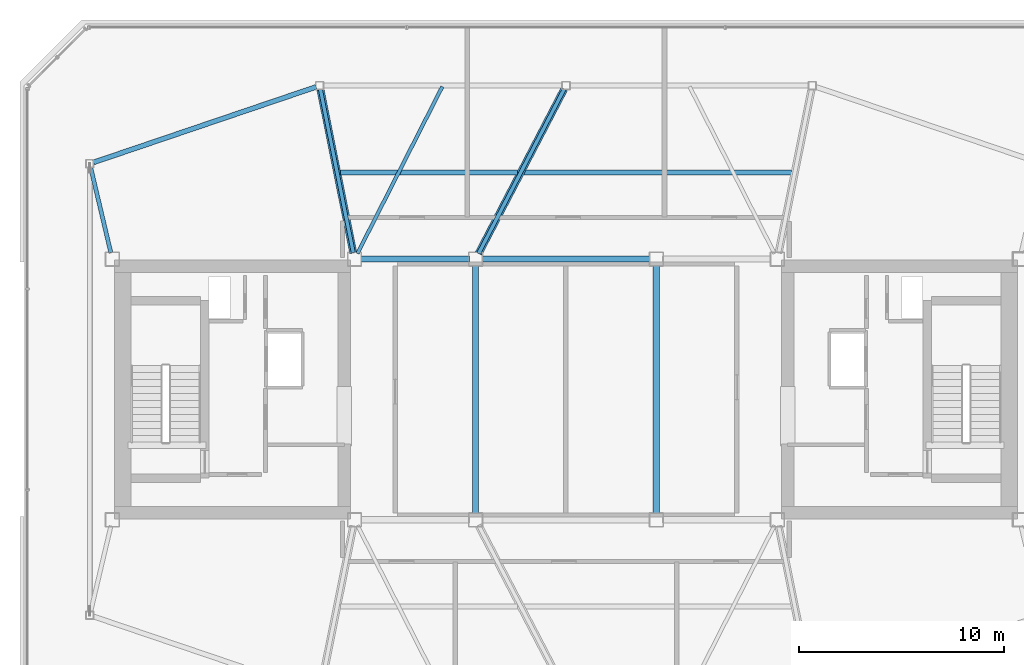
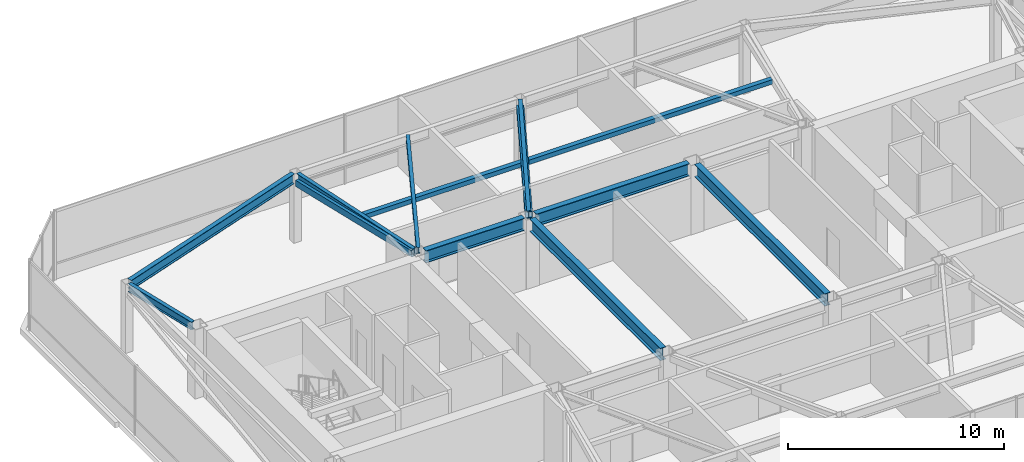
# One storey, part 7 of 21: 9 beams, 4 members.
"""IFC4 building model written with IfcOpenShell, lengths in metres."""

from ifc_helpers import new_model, si_unit, direction, frame, origin, origin_2d, place, context, subcontext, project, spatial, hollow_rectangle, i_section, extrude, material, material_profile, profile_set, type_object, element, save


model = new_model("IFC4")

# Units and contexts
model_context = context("Model", 3, precision=1e-05, world=origin(), true_north=direction((0.0, 1.0)))
body_context = subcontext(model_context, "Body", "Model", "MODEL_VIEW")
ifc_project = project(units=[si_unit("LENGTHUNIT", "METRE"), si_unit("AREAUNIT", "SQUARE_METRE"), si_unit("VOLUMEUNIT", "CUBIC_METRE"), si_unit("PLANEANGLEUNIT", "RADIAN"), si_unit("MASSUNIT", "GRAM", prefix="KILO")], contexts=[model_context])

# Site, building, storey
site_placement = place(None, origin())
site = spatial("IfcSite", under=ifc_project, at=site_placement, CompositionType="ELEMENT")
building_placement = place(site_placement, origin())
building = spatial("IfcBuilding", under=site, at=building_placement, Name="Tavrogorsk Clinical Tower", CompositionType="ELEMENT")
storey_placement = place(building_placement, frame((0.0, 0.0, 348.60009765625)))
storey = spatial("IfcBuildingStorey", under=building, at=storey_placement, Name="L81", CompositionType="ELEMENT", Elevation=348.60009765625)

# Members
ifc_material_1 = material(Name="Structural steel S355", Category="steel")
ifc_material_profile_1 = material_profile(ifc_material_1, hollow_rectangle(XDim=0.25, YDim=0.25, WallThickness=0.012451171875, at=origin_2d()), Name="SHS-250x250x12.5")
ifc_profile_set_1 = profile_set([ifc_material_profile_1], Name="Structural steel S355")
member_type_1 = type_object("IfcMemberType", Name="CrownFacetPurlin_SHS250", PredefinedType="PURLIN", material=ifc_profile_set_1)
member_1_placement = place(storey_placement, frame((-10.989990234375, 10.574951171875, 3.52978515625), z_axis=(1.0, 0.0, 0.0), x_axis=(0.0, 1.0, 0.0)))
element("IfcMember", 1, at=member_1_placement, inside=storey, type_object=member_type_1, Name="L81 Crown Facet Purlin N-1", PredefinedType="PURLIN", context=body_context, shape_type="SweptSolid", body=[
    extrude(hollow_rectangle(XDim=0.25, YDim=0.25, WallThickness=0.012451171875, at=origin_2d()), origin(), (0.0, 0.0, 1.0), 8.6298828125),
])
member_2_placement = place(storey_placement, frame((-2.0400390625, 10.574951171875, 3.52978515625), z_axis=(1.0, 0.0, 0.0), x_axis=(0.0, 1.0, 0.0)))
element("IfcMember", 2, at=member_2_placement, inside=storey, type_object=member_type_1, Name="L81 Crown Facet Purlin N-2", PredefinedType="PURLIN", context=body_context, shape_type="SweptSolid", body=[
    extrude(hollow_rectangle(XDim=0.25, YDim=0.25, WallThickness=0.012451171875, at=origin_2d()), origin(), (0.0, 0.0, 1.0), 13.030029296875),
])
ifc_material_2 = material(Name="Structural steel S390", Category="steel")
ifc_material_profile_2 = material_profile(ifc_material_2, hollow_rectangle(XDim=0.35009765625, YDim=0.35009765625, WallThickness=0.01611328125, at=origin_2d()), Name="SHS-350x350x16")
ifc_profile_set_2 = profile_set([ifc_material_profile_2], Name="Structural steel S390")
member_type_2 = type_object("IfcMemberType", Name="CrownFacetRafter_SHS350", PredefinedType="RAFTER", material=ifc_profile_set_2)
member_3_placement = place(storey_placement, frame((-10.361083984375, 6.65380859375, 3.669189453125), z_axis=(-0.197131403057, 0.979759922029, -0.034780815313), x_axis=(-0.980353070529, -0.197250746779, 0.0)))
element("IfcMember", 3, at=member_3_placement, inside=storey, type_object=member_type_2, Name="L81 Sloped Facet Rafter N-1", PredefinedType="RAFTER", context=body_context, shape_type="SweptSolid", body=[
    extrude(hollow_rectangle(XDim=0.35009765625, YDim=0.35009765625, WallThickness=0.01611328125, at=origin_2d()), origin(), (0.0, 0.0, 1.0), 8.114501953125),
])
member_4_placement = place(storey_placement, frame((-4.2568359375, 6.624755859375, 3.670166015625), z_axis=(0.461609796576, 0.886524618116, -0.031472165167), x_axis=(-0.886963994611, 0.461838578146, 0.0)))
element("IfcMember", 4, at=member_4_placement, inside=storey, type_object=member_type_2, Name="L81 Sloped Facet Rafter N-2", PredefinedType="RAFTER", context=body_context, shape_type="SweptSolid", body=[
    extrude(hollow_rectangle(XDim=0.35009765625, YDim=0.35009765625, WallThickness=0.01611328125, at=origin_2d()), origin(), (0.0, 0.0, 1.0), 9.021728515625),
])

# Beams
ifc_material_3 = material(Name="Structural steel S355", Category="steel")
ifc_material_profile_3 = material_profile(ifc_material_3, i_section(OverallWidth=0.199951171875, OverallDepth=0.449951171875, WebThickness=0.011474609375, FlangeThickness=0.01806640625, at=origin_2d()), Name="B-450x200x11.5x18")
ifc_profile_set_3 = profile_set([ifc_material_profile_3], Name="Structural steel S355")
beam_type_1 = type_object("IfcBeamType", Name="FloorBeam_B450", PredefinedType="BEAM", material=ifc_profile_set_3)
beam_1_placement = place(storey_placement, frame((-4.2568359375, 6.625, 3.6748046875), z_axis=(0.461855081218, 0.886955401332, 0.0), x_axis=(-0.886955401332, 0.461855081218, 0.0)))
element("IfcBeam", 5, at=beam_1_placement, inside=storey, type_object=beam_type_1, Name="L81 Crown Radial Beam 07", PredefinedType="BEAM", context=body_context, shape_type="SweptSolid", body=[
    extrude(i_section(OverallWidth=0.199951171875, OverallDepth=0.449951171875, WebThickness=0.011474609375, FlangeThickness=0.01806640625, at=origin_2d()), origin(), (0.0, 0.0, 1.0), 9.027099609375),
])
beam_2_placement = place(storey_placement, frame((-10.361083984375, 6.65380859375, 3.6748046875), z_axis=(-0.197249355273, 0.980353350504, 0.0), x_axis=(-0.980353350504, -0.197249355273, 0.0)))
element("IfcBeam", 6, at=beam_2_placement, inside=storey, type_object=beam_type_1, Name="L81 Crown Radial Beam 08", PredefinedType="BEAM", context=body_context, shape_type="SweptSolid", body=[
    extrude(i_section(OverallWidth=0.199951171875, OverallDepth=0.449951171875, WebThickness=0.011474609375, FlangeThickness=0.01806640625, at=origin_2d()), origin(), (0.0, 0.0, 1.0), 8.119384765625),
])
beam_3_placement = place(storey_placement, frame((-22.17138671875, 6.651611328125, 3.6748046875), z_axis=(-0.230190528398, 0.973145580392, 0.0), x_axis=(-0.973145580392, -0.230190528398, 0.0)))
element("IfcBeam", 7, at=beam_3_placement, inside=storey, type_object=beam_type_1, Name="L81 Crown Radial Beam 09", PredefinedType="BEAM", context=body_context, shape_type="SweptSolid", body=[
    extrude(i_section(OverallWidth=0.199951171875, OverallDepth=0.449951171875, WebThickness=0.011474609375, FlangeThickness=0.01806640625, at=origin_2d()), origin(), (0.0, 0.0, 1.0), 4.278564453125),
])
ifc_material_4 = material(Name="Structural steel S390", Category="steel")
ifc_material_profile_4 = material_profile(ifc_material_4, i_section(OverallWidth=0.300048828125, OverallDepth=0.699951171875, WebThickness=0.01708984375, FlangeThickness=0.028076171875, at=origin_2d()), Name="B-700x300x17x28")
ifc_profile_set_4 = profile_set([ifc_material_profile_4], Name="Structural steel S390")
beam_type_2 = type_object("IfcBeamType", Name="PrimaryGirder_B700", PredefinedType="USERDEFINED", material=ifc_profile_set_4)
beam_4_placement = place(storey_placement, frame((-9.989990234375, 6.35009765625, 3.5498046875), z_axis=(1.0, 0.0, 0.0), x_axis=(0.0, 1.0, 0.0)))
element("IfcBeam", 8, at=beam_4_placement, inside=storey, type_object=beam_type_2, Name="L81 Primary Spine Girder MG-02", ObjectType="GIRDER", PredefinedType="USERDEFINED", context=body_context, shape_type="SweptSolid", body=[
    extrude(i_section(OverallWidth=0.300048828125, OverallDepth=0.699951171875, WebThickness=0.01708984375, FlangeThickness=0.028076171875, at=origin_2d()), origin(), (0.0, 0.0, 1.0), 5.280029296875),
])
beam_5_placement = place(storey_placement, frame((-4.090087890625, 6.35009765625, 3.5498046875), z_axis=(1.0, 0.0, 0.0), x_axis=(0.0, 1.0, 0.0)))
element("IfcBeam", 9, at=beam_5_placement, inside=storey, type_object=beam_type_2, Name="L81 Primary Spine Girder MG-04", ObjectType="GIRDER", PredefinedType="USERDEFINED", context=body_context, shape_type="SweptSolid", body=[
    extrude(i_section(OverallWidth=0.300048828125, OverallDepth=0.699951171875, WebThickness=0.01708984375, FlangeThickness=0.028076171875, at=origin_2d()), origin(), (0.0, 0.0, 1.0), 8.18017578125),
])
for number, where, z_axis, x_axis, name in (
    (10, (-4.39990234375, -6.0400390625, 3.5498046875), (0.0, 1.0, 0.0), (-1.0, 0.0, 0.0), "L81 Primary Spine Girder MG-07"),
    (11, (4.39990234375, -6.0400390625, 3.5498046875), (0.0, 1.0, 0.0), (-1.0, 0.0, 0.0), "L81 Primary Spine Girder MG-08"),
):
    element("IfcBeam", number, at=place(storey_placement, frame(where, z_axis=z_axis, x_axis=x_axis)), inside=storey, type_object=beam_type_2, Name=name, ObjectType="GIRDER", PredefinedType="USERDEFINED", context=body_context, shape_type="SweptSolid", body=[
        extrude(i_section(OverallWidth=0.300048828125, OverallDepth=0.699951171875, WebThickness=0.01708984375, FlangeThickness=0.028076171875, at=origin_2d()), origin(), (0.0, 0.0, 1.0), 12.080078125),
    ])
ifc_material_5 = material(Name="Structural steel S355", Category="steel")
ifc_material_profile_5 = material_profile(ifc_material_5, i_section(OverallWidth=0.175048828125, OverallDepth=0.35009765625, WebThickness=0.009521484375, FlangeThickness=0.013916015625, at=origin_2d()), Name="B-350x175x9.5x14")
ifc_profile_set_5 = profile_set([ifc_material_profile_5], Name="Structural steel S355")
beam_type_3 = type_object("IfcBeamType", Name="SecondaryJoist_B350", PredefinedType="JOIST", material=ifc_profile_set_5)
beam_6_placement = place(storey_placement, frame((-10.159423828125, 6.626220703125, 3.724853515625), z_axis=(0.4535299827, 0.891241019474, 0.0), x_axis=(-0.891241019474, 0.4535299827, 0.0)))
element("IfcBeam", 12, at=beam_6_placement, inside=storey, type_object=beam_type_3, Name="L81 Crown Secondary Joist 03", PredefinedType="JOIST", context=body_context, shape_type="SweptSolid", body=[
    extrude(i_section(OverallWidth=0.175048828125, OverallDepth=0.35009765625, WebThickness=0.009521484375, FlangeThickness=0.013916015625, at=origin_2d()), origin(), (0.0, 0.0, 1.0), 9.12109375),
])
ifc_material_6 = material(Name="Structural steel S390", Category="steel")
ifc_material_profile_6 = material_profile(ifc_material_6, i_section(OverallWidth=0.239990234375, OverallDepth=0.550048828125, WebThickness=0.013916015625, FlangeThickness=0.02197265625, at=origin_2d()), Name="B-550x240x14x22")
ifc_profile_set_6 = profile_set([ifc_material_profile_6], Name="Structural steel S390")
beam_type_4 = type_object("IfcBeamType", Name="SpandrelBeam_B550", PredefinedType="SPANDREL", material=ifc_profile_set_6)
beam_7_placement = place(storey_placement, frame((-12.179931640625, 14.739013671875, 3.625), z_axis=(-0.946976266831, -0.321303517034, 0.0), x_axis=(0.321303517034, -0.946976266831, 0.0)))
element("IfcBeam", 13, at=beam_7_placement, inside=storey, type_object=beam_type_4, Name="L81 Crown Spandrel Beam 08", PredefinedType="SPANDREL", context=body_context, shape_type="SweptSolid", body=[
    extrude(i_section(OverallWidth=0.239990234375, OverallDepth=0.550048828125, WebThickness=0.013916015625, FlangeThickness=0.02197265625, at=origin_2d()), origin(), (0.0, 0.0, 1.0), 11.447021484375),
])

save(model, "model.ifc")
